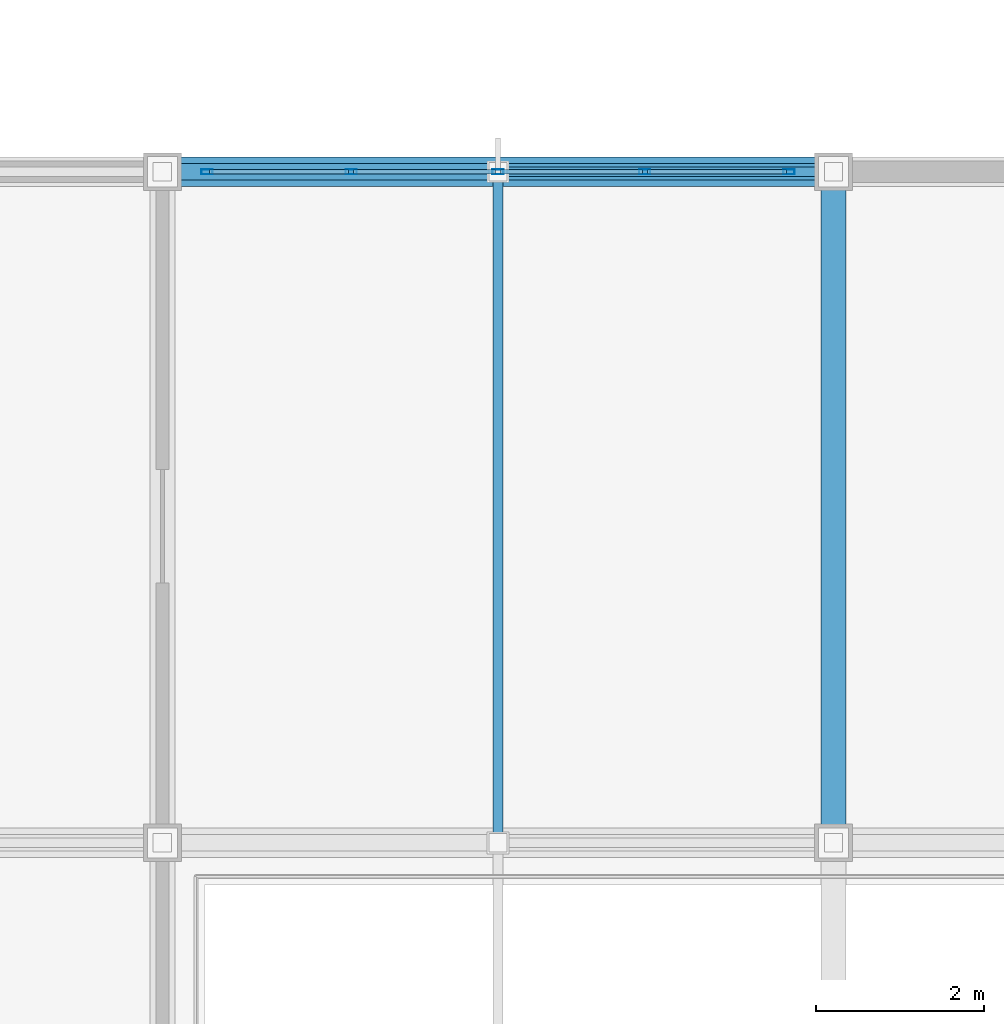
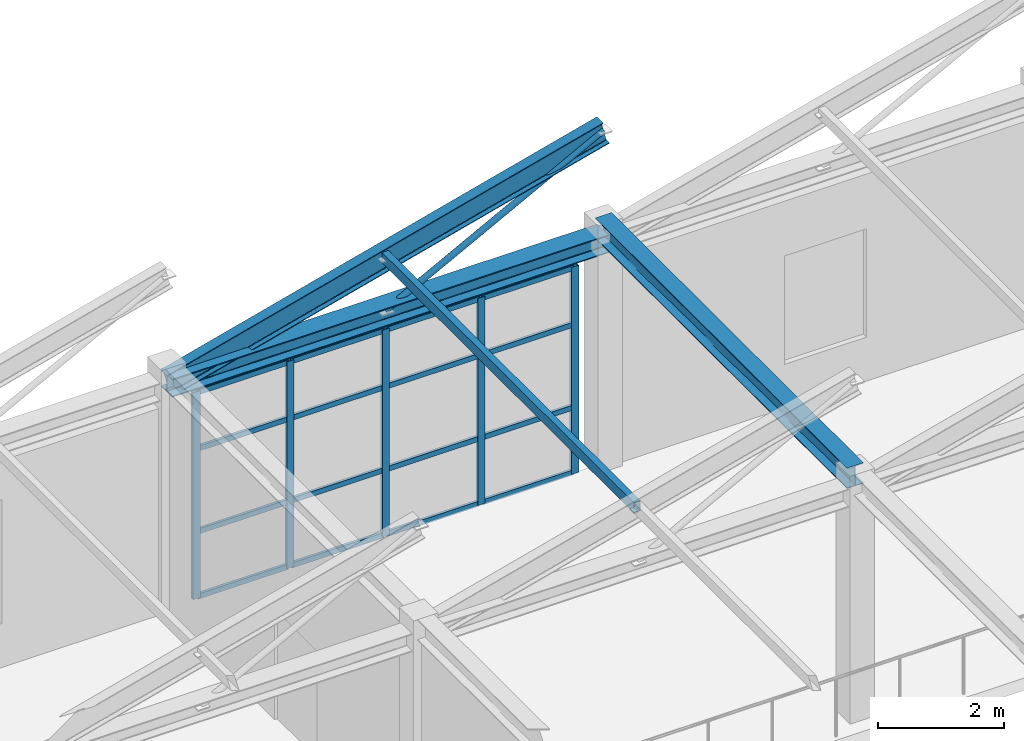
# One storey, part 3 of 63: 24 members, 2 beams, 1 element without a shape of its own.
"""IFC4 building model written with IfcOpenShell, lengths in metres."""

import ifcopenshell
import ifcopenshell.guid

model = None  # the IFC model being written
_history = None  # IfcOwnerHistory: only IFC2X3 demands one
_inside = {}  # id of a spatial element -> (the spatial element, [elements in it])
_under = {}  # id of a project, library or spatial element -> (it, [spatial elements below it])
_declared = {}  # id of a project -> (the project, [libraries it declares])
_typed = {}  # id of a type object -> (the type object, [elements of that type])
_made_of = {}  # id of a material, layer set ... -> (it, [elements and type objects made of it])


def new_model(schema):
    """Start an empty IFC model of exactly this schema.

    Asked for "IFC4X3", IfcOpenShell would pick the latest addendum, in which some entities
    have other attributes; the version numbers below select the first issue.
    IFC2X3 requires an IfcOwnerHistory on every rooted entity: one is made here for all.
    """
    global model, _history
    if schema == "IFC4X3":
        model = ifcopenshell.file(schema_version=(4, 3, 0, 0))
    else:
        model = ifcopenshell.file(schema=schema)
    _inside.clear()
    _under.clear()
    _declared.clear()
    _typed.clear()
    _made_of.clear()
    _history = None
    if model.schema == "IFC2X3":
        org = make("IfcOrganization", Name="unknown")
        user = make(
            "IfcPersonAndOrganization",
            ThePerson=make("IfcPerson", FamilyName="unknown"),
            TheOrganization=org,
        )
        app = make(
            "IfcApplication",
            ApplicationDeveloper=org,
            Version="unknown",
            ApplicationFullName="unknown",
            ApplicationIdentifier="unknown",
        )
        _history = make(
            "IfcOwnerHistory",
            OwningUser=user,
            OwningApplication=app,
            ChangeAction="ADDED",
            CreationDate=0,
        )
    return model


def make(cls, **values):
    """One entity of the class cls with the attributes given. An attribute that is None is left unset."""
    return model.create_entity(
        cls, **{name: value for name, value in values.items() if value is not None}
    )


def rooted(cls, **values):
    """An entity with a GlobalId (a new one), such as an element, a storey or a relation."""
    return make(cls, GlobalId=ifcopenshell.guid.new(), OwnerHistory=_history, **values)


def si_unit(unit_type, name, prefix=None):
    """IfcSIUnit, for example si_unit("LENGTHUNIT", "METRE", prefix="MILLI")."""
    return make("IfcSIUnit", UnitType=unit_type, Prefix=prefix, Name=name)


def assignment(units):
    """IfcUnitAssignment: the units of a project."""
    return None if units is None else make("IfcUnitAssignment", Units=units)


def point(xyz):
    """IfcCartesianPoint."""
    return None if xyz is None else make("IfcCartesianPoint", Coordinates=xyz)


def direction(xyz):
    """IfcDirection."""
    return None if xyz is None else make("IfcDirection", DirectionRatios=xyz)


def frame(location, z_axis=None, x_axis=None):
    """IfcAxis2Placement3D, a coordinate frame: its origin and axes. An axis left out is left unset."""
    return make(
        "IfcAxis2Placement3D",
        Location=point(location),
        Axis=direction(z_axis),
        RefDirection=direction(x_axis),
    )


def frame_2d(location, x_axis=None):
    """IfcAxis2Placement2D, a coordinate frame in the plane: its origin and x axis."""
    return make(
        "IfcAxis2Placement2D", Location=point(location), RefDirection=direction(x_axis)
    )


def origin():
    """The frame at (0, 0, 0) with its axes left unset."""
    return frame((0.0, 0.0, 0.0))


def origin_2d():
    """The frame at (0, 0) in the plane with its x axis left unset."""
    return frame_2d((0.0, 0.0))


def place(relative_to, where):
    """IfcLocalPlacement: puts the frame where relative to a parent placement (None: the world)."""
    return make(
        "IfcLocalPlacement", PlacementRelTo=relative_to, RelativePlacement=where
    )


def context(
    kind, dimensions, precision=None, world=None, true_north=None, identifier=None
):
    """IfcGeometricRepresentationContext, for example the 3D "Model" context."""
    return make(
        "IfcGeometricRepresentationContext",
        ContextIdentifier=identifier,
        ContextType=kind,
        CoordinateSpaceDimension=dimensions,
        Precision=precision,
        WorldCoordinateSystem=world,
        TrueNorth=true_north,
    )


def subcontext(parent, identifier, kind, view, scale=None):
    """IfcGeometricRepresentationSubContext, for example "Body" below "Model"."""
    return make(
        "IfcGeometricRepresentationSubContext",
        ContextIdentifier=identifier,
        ContextType=kind,
        ParentContext=parent,
        TargetScale=scale,
        TargetView=view,
    )


def project(units=None, contexts=None):
    """IfcProject with its units and contexts."""
    return rooted(
        "IfcProject",
        Name="project",
        RepresentationContexts=contexts,
        UnitsInContext=assignment(units),
    )


def spatial(cls, under=None, at=None, **own):
    """A site, building, storey or space (cls), placed at a placement, below another one or the project."""
    s = rooted(cls, ObjectPlacement=at, **own)
    if under is not None:
        _under.setdefault(under.id(), (under, []))[1].append(s)
    return s


def profile(cls, at=None, kind="AREA", **sizes):
    """A parametric profile (cls). Its sizes go by their IFC names, for example OverallWidth=200.0."""
    return make(cls, ProfileType=kind, Position=at, **sizes)


def hollow_rectangle(**sizes):
    """IfcRectangleHollowProfileDef."""
    return profile("IfcRectangleHollowProfileDef", **sizes)


def hollow_circle(**sizes):
    """IfcCircleHollowProfileDef."""
    return profile("IfcCircleHollowProfileDef", **sizes)


def i_section(**sizes):
    """IfcIShapeProfileDef."""
    return profile("IfcIShapeProfileDef", **sizes)


def extrude(swept, where, along, depth):
    """IfcExtrudedAreaSolid: the profile swept, set in the frame where, extruded along a direction by depth."""
    return make(
        "IfcExtrudedAreaSolid",
        SweptArea=swept,
        Position=where,
        ExtrudedDirection=direction(along),
        Depth=depth,
    )


def shape(context_of_items, identifier, shape_type, items):
    """IfcShapeRepresentation: the items that make up one representation, for example the "Body"."""
    return make(
        "IfcShapeRepresentation",
        ContextOfItems=context_of_items,
        RepresentationIdentifier=identifier,
        RepresentationType=shape_type,
        Items=items,
    )


def material(Name=None, Category=None):
    """IfcMaterial."""
    return make("IfcMaterial", Name=Name, Category=Category)


def layer(
    of_material, thickness, ventilated=None, Name=None, Category=None, Priority=None
):
    """IfcMaterialLayer: one layer of a wall or slab, of a material (None: an air gap)."""
    return make(
        "IfcMaterialLayer",
        Material=of_material,
        LayerThickness=thickness,
        IsVentilated=ventilated,
        Name=Name,
        Category=Category,
        Priority=Priority,
    )


def layer_set(layers, Name=None):
    """IfcMaterialLayerSet."""
    return make("IfcMaterialLayerSet", MaterialLayers=layers, LayerSetName=Name)


def material_profile(
    of_material, cross_section, Name=None, Category=None, Priority=None
):
    """IfcMaterialProfile: a cross section and its material."""
    return make(
        "IfcMaterialProfile",
        Name=Name,
        Material=of_material,
        Profile=cross_section,
        Priority=Priority,
        Category=Category,
    )


def profile_set(profiles, Name=None, composite=None):
    """IfcMaterialProfileSet."""
    return make(
        "IfcMaterialProfileSet",
        Name=Name,
        MaterialProfiles=profiles,
        CompositeProfile=composite,
    )


def made_of(thing, what):
    """Note that an element or type object is made of a material, layer set ...; save() writes the relation."""
    if what is not None:
        _made_of.setdefault(what.id(), (what, []))[1].append(thing)
    return thing


def type_object(cls, material=None, **own):
    """A type object (cls), such as IfcWallType, which elements share."""
    return made_of(rooted(cls, **own), material)


def element(
    cls,
    number,
    at=None,
    inside=None,
    cuts=None,
    type_object=None,
    material=None,
    context=None,
    identifier="Body",
    shape_type=None,
    held_by="IfcProductDefinitionShape",
    body=None,
    shapes=None,
    **own,
):
    """One element of the class cls, such as IfcWall. Its Tag is "e" and its number.

    at: its placement. inside: the storey or other place that contains it. cuts: it is an
    opening in that element (IfcRelVoidsElement). A single representation is given by context,
    identifier, shape_type and body (its items); several are given by shapes. held_by: the class
    of the entity that holds the representations. save() writes the other relations.
    """
    e = rooted(cls, Tag="e%d" % number, ObjectPlacement=at, **own)
    if body is not None:
        shapes = [shape(context, identifier, shape_type, body)]
    if shapes is not None:
        e.Representation = make(held_by, Representations=shapes)
    if inside is not None:
        _inside.setdefault(inside.id(), (inside, []))[1].append(e)
    if cuts is not None:
        rooted(
            "IfcRelVoidsElement", RelatingBuildingElement=cuts, RelatedOpeningElement=e
        )
    if type_object is not None:
        _typed.setdefault(type_object.id(), (type_object, []))[1].append(e)
    return made_of(e, material)


def aggregate(whole, parts):
    """IfcRelAggregates: a whole, such as a stair, and the parts it consists of."""
    return rooted("IfcRelAggregates", RelatingObject=whole, RelatedObjects=parts)


def save(model, path):
    """Write the relations noted so far, then the file.

    IfcRelAggregates (storeys below a building ...), IfcRelContainedInSpatialStructure (elements
    in a storey), IfcRelDefinesByType, IfcRelAssociatesMaterial and IfcRelDeclares: one each for
    every whole, place, type object, material and project.
    """
    for whole, parts in _under.values():
        aggregate(whole, parts)
    for where, things in _inside.values():
        rooted(
            "IfcRelContainedInSpatialStructure",
            RelatedElements=things,
            RelatingStructure=where,
        )
    for kind, things in _typed.values():
        rooted("IfcRelDefinesByType", RelatedObjects=things, RelatingType=kind)
    for what, things in _made_of.values():
        rooted("IfcRelAssociatesMaterial", RelatedObjects=things, RelatingMaterial=what)
    for by, libraries in _declared.values():
        rooted("IfcRelDeclares", RelatingContext=by, RelatedDefinitions=libraries)
    model.write(path)


model = new_model("IFC4")

# Units and contexts
model_context = context("Model", 3, precision=1e-05, world=origin(), true_north=direction((0.0, 1.0)))
body_context = subcontext(model_context, "Body", "Model", "MODEL_VIEW")
ifc_project = project(units=[si_unit("LENGTHUNIT", "METRE"), si_unit("AREAUNIT", "SQUARE_METRE"), si_unit("VOLUMEUNIT", "CUBIC_METRE"), si_unit("PLANEANGLEUNIT", "RADIAN"), si_unit("MASSUNIT", "GRAM", prefix="KILO")], contexts=[model_context])

# Site, building, storey
site_placement = place(None, origin())
site = spatial("IfcSite", under=ifc_project, at=site_placement, CompositionType="ELEMENT")
building_placement = place(site_placement, origin())
building = spatial("IfcBuilding", under=site, at=building_placement, Name="Canggui Botanical Conservatory", CompositionType="ELEMENT")
storey_placement = place(building_placement, frame((0.0, 0.0, 10.199951171875)))
storey = spatial("IfcBuildingStorey", under=building, at=storey_placement, Name="L03", CompositionType="ELEMENT", Elevation=10.199951171875)

# Beams
ifc_material_1 = material(Name="Steel Q355B", Category="steel")
ifc_material_profile_1 = material_profile(ifc_material_1, i_section(OverallWidth=0.300048828125, OverallDepth=0.39990234375, WebThickness=0.010009765625, FlangeThickness=0.01611328125, FilletRadius=0.02197265625, at=origin_2d()), Name="HM 400x300x10x16")
ifc_profile_set_1 = profile_set([ifc_material_profile_1], Name="Steel Q355B")
beam_type_1 = type_object("IfcBeamType", Name="BM-GL03", PredefinedType="BEAM", material=ifc_profile_set_1)
beam_1_placement = place(storey_placement, frame((42.0, 26.0, 4.60009765625), z_axis=(0.0, 1.0, 0.0), x_axis=(-1.0, 0.0, 0.0)))
element("IfcBeam", 1, at=beam_1_placement, inside=storey, type_object=beam_type_1, Name="Visitor Clerestory Support Girder 2-3", PredefinedType="BEAM", context=body_context, shape_type="SweptSolid", body=[
    extrude(i_section(OverallWidth=0.300048828125, OverallDepth=0.39990234375, WebThickness=0.010009765625, FlangeThickness=0.01611328125, FilletRadius=0.02197265625, at=origin_2d()), origin(), (0.0, 0.0, 1.0), 8.0),
])
ifc_material_profile_2 = material_profile(ifc_material_1, i_section(OverallWidth=0.199951171875, OverallDepth=0.449951171875, WebThickness=0.009033203125, FlangeThickness=0.013916015625, FilletRadius=0.01806640625, at=origin_2d()), Name="HN 450x200x9x14")
ifc_profile_set_2 = profile_set([ifc_material_profile_2], Name="Steel Q355B")
beam_type_2 = type_object("IfcBeamType", Name="BM-GL07", PredefinedType="BEAM", material=ifc_profile_set_2)
beam_2_placement = place(storey_placement, frame((34.0, 34.0, 4.35009765625), z_axis=(0.967235314575, 0.0, 0.253881559468), x_axis=(0.0, 1.0, 0.0)))
element("IfcBeam", 2, at=beam_2_placement, inside=storey, type_object=beam_type_2, Name="Visitor Sawtooth Steel Rafter 2-Y34", PredefinedType="BEAM", context=body_context, shape_type="SweptSolid", body=[
    extrude(i_section(OverallWidth=0.199951171875, OverallDepth=0.449951171875, WebThickness=0.009033203125, FlangeThickness=0.013916015625, FilletRadius=0.01806640625, at=origin_2d()), origin(), (0.0, 0.0, 1.0), 8.27099609375),
])

# Curtain wall, members
ifc_material_2 = material(Name="Thermally Broken Aluminium", Category="aluminium")
ifc_layer = layer(ifc_material_2, 0.135009765625, Name="Thermally Broken Aluminium", Category="aluminium")
ifc_layer_set = layer_set([ifc_layer], Name="Thermally Broken Aluminium")
curtain_wall_type = type_object("IfcCurtainWallType", Name="CW-STICK-A", PredefinedType="USERDEFINED", material=ifc_layer_set)
curtain_wall_placement = place(storey_placement, origin())
curtain_wall = element("IfcCurtainWall", 3, at=curtain_wall_placement, inside=storey, type_object=curtain_wall_type, Name="Facade Curtain Wall CW-VIS-L03-10", ObjectType="STICK GLAZED WALL", PredefinedType="USERDEFINED")
ifc_material_profile_3 = material_profile(ifc_material_2, hollow_rectangle(XDim=0.06005859375, YDim=0.135009765625, WallThickness=0.00341796875, at=origin_2d()), Name="CWM 60x135x3.5")
ifc_profile_set_3 = profile_set([ifc_material_profile_3], Name="Thermally Broken Aluminium")
member_type_1 = type_object("IfcMemberType", Name="CWM-04", PredefinedType="MULLION", material=ifc_profile_set_3)
member_1_placement = place(storey_placement, frame((34.530029296875, 34.0, 0.0), z_axis=(0.0, 0.0, 1.0), x_axis=(0.0, 1.0, 0.0)))
member_1 = element("IfcMember", 4, at=member_1_placement, type_object=member_type_1, Name="CW-04 mullion 1", PredefinedType="MULLION", context=body_context, shape_type="SweptSolid", body=[
    extrude(hollow_rectangle(XDim=0.06005859375, YDim=0.135009765625, WallThickness=0.00341796875, at=origin_2d()), origin(), (0.0, 0.0, 1.0), 4.010009765625),
])
member_2_placement = place(storey_placement, frame((36.25, 34.0, 0.0), z_axis=(0.0, 0.0, 1.0), x_axis=(0.0, 1.0, 0.0)))
member_2 = element("IfcMember", 5, at=member_2_placement, type_object=member_type_1, Name="CW-04 mullion 2", PredefinedType="MULLION", context=body_context, shape_type="SweptSolid", body=[
    extrude(hollow_rectangle(XDim=0.06005859375, YDim=0.135009765625, WallThickness=0.00341796875, at=origin_2d()), origin(), (0.0, 0.0, 1.0), 4.010009765625),
])
member_3_placement = place(storey_placement, frame((38.0, 34.0, 0.0), z_axis=(0.0, 0.0, 1.0), x_axis=(0.0, 1.0, 0.0)))
member_3 = element("IfcMember", 6, at=member_3_placement, type_object=member_type_1, Name="CW-04 mullion 3", PredefinedType="MULLION", context=body_context, shape_type="SweptSolid", body=[
    extrude(hollow_rectangle(XDim=0.06005859375, YDim=0.135009765625, WallThickness=0.00341796875, at=origin_2d()), origin(), (0.0, 0.0, 1.0), 4.010009765625),
])
member_4_placement = place(storey_placement, frame((39.75, 34.0, 0.0), z_axis=(0.0, 0.0, 1.0), x_axis=(0.0, 1.0, 0.0)))
member_4 = element("IfcMember", 7, at=member_4_placement, type_object=member_type_1, Name="CW-04 mullion 4", PredefinedType="MULLION", context=body_context, shape_type="SweptSolid", body=[
    extrude(hollow_rectangle(XDim=0.06005859375, YDim=0.135009765625, WallThickness=0.00341796875, at=origin_2d()), origin(), (0.0, 0.0, 1.0), 4.010009765625),
])
member_5_placement = place(storey_placement, frame((41.469970703125, 34.0, 0.0), z_axis=(0.0, 0.0, 1.0), x_axis=(0.0, 1.0, 0.0)))
member_5 = element("IfcMember", 8, at=member_5_placement, type_object=member_type_1, Name="CW-04 mullion 5", PredefinedType="MULLION", context=body_context, shape_type="SweptSolid", body=[
    extrude(hollow_rectangle(XDim=0.06005859375, YDim=0.135009765625, WallThickness=0.00341796875, at=origin_2d()), origin(), (0.0, 0.0, 1.0), 4.010009765625),
])
ifc_material_profile_4 = material_profile(ifc_material_2, hollow_rectangle(XDim=0.050048828125, YDim=0.10009765625, WallThickness=0.0029296875, at=origin_2d()), Name="CWT 50x100x3")
ifc_profile_set_4 = profile_set([ifc_material_profile_4], Name="Thermally Broken Aluminium")
member_type_2 = type_object("IfcMemberType", Name="CWT-04", PredefinedType="USERDEFINED", material=ifc_profile_set_4)
member_6_placement = place(storey_placement, frame((34.56005859375, 34.0, 0.025146484375), z_axis=(1.0, 0.0, 0.0), x_axis=(0.0, 1.0, 0.0)))
member_6 = element("IfcMember", 9, at=member_6_placement, type_object=member_type_2, Name="CW-04 transom 1.1", ObjectType="TRANSOM", PredefinedType="USERDEFINED", context=body_context, shape_type="SweptSolid", body=[
    extrude(hollow_rectangle(XDim=0.050048828125, YDim=0.10009765625, WallThickness=0.0029296875, at=origin_2d()), origin(), (0.0, 0.0, 1.0), 1.659912109375),
])
member_7_placement = place(storey_placement, frame((34.56005859375, 34.0, 1.283203125), z_axis=(1.0, 0.0, 0.0), x_axis=(0.0, 1.0, 0.0)))
member_7 = element("IfcMember", 10, at=member_7_placement, type_object=member_type_2, Name="CW-04 transom 1.2", ObjectType="TRANSOM", PredefinedType="USERDEFINED", context=body_context, shape_type="SweptSolid", body=[
    extrude(hollow_rectangle(XDim=0.050048828125, YDim=0.10009765625, WallThickness=0.0029296875, at=origin_2d()), origin(), (0.0, 0.0, 1.0), 1.659912109375),
])
member_8_placement = place(storey_placement, frame((34.56005859375, 34.0, 2.88720703125), z_axis=(1.0, 0.0, 0.0), x_axis=(0.0, 1.0, 0.0)))
member_8 = element("IfcMember", 11, at=member_8_placement, type_object=member_type_2, Name="CW-04 transom 1.3", ObjectType="TRANSOM", PredefinedType="USERDEFINED", context=body_context, shape_type="SweptSolid", body=[
    extrude(hollow_rectangle(XDim=0.050048828125, YDim=0.10009765625, WallThickness=0.0029296875, at=origin_2d()), origin(), (0.0, 0.0, 1.0), 1.659912109375),
])
member_9_placement = place(storey_placement, frame((34.56005859375, 34.0, 3.985107421875), z_axis=(1.0, 0.0, 0.0), x_axis=(0.0, 1.0, 0.0)))
member_9 = element("IfcMember", 12, at=member_9_placement, type_object=member_type_2, Name="CW-04 transom 1.4", ObjectType="TRANSOM", PredefinedType="USERDEFINED", context=body_context, shape_type="SweptSolid", body=[
    extrude(hollow_rectangle(XDim=0.050048828125, YDim=0.10009765625, WallThickness=0.0029296875, at=origin_2d()), origin(), (0.0, 0.0, 1.0), 1.659912109375),
])
member_10_placement = place(storey_placement, frame((36.280029296875, 34.0, 0.025146484375), z_axis=(1.0, 0.0, 0.0), x_axis=(0.0, 1.0, 0.0)))
member_10 = element("IfcMember", 13, at=member_10_placement, type_object=member_type_2, Name="CW-04 transom 2.1", ObjectType="TRANSOM", PredefinedType="USERDEFINED", context=body_context, shape_type="SweptSolid", body=[
    extrude(hollow_rectangle(XDim=0.050048828125, YDim=0.10009765625, WallThickness=0.0029296875, at=origin_2d()), origin(), (0.0, 0.0, 1.0), 1.68994140625),
])
member_11_placement = place(storey_placement, frame((36.280029296875, 34.0, 1.283203125), z_axis=(1.0, 0.0, 0.0), x_axis=(0.0, 1.0, 0.0)))
member_11 = element("IfcMember", 14, at=member_11_placement, type_object=member_type_2, Name="CW-04 transom 2.2", ObjectType="TRANSOM", PredefinedType="USERDEFINED", context=body_context, shape_type="SweptSolid", body=[
    extrude(hollow_rectangle(XDim=0.050048828125, YDim=0.10009765625, WallThickness=0.0029296875, at=origin_2d()), origin(), (0.0, 0.0, 1.0), 1.68994140625),
])
member_12_placement = place(storey_placement, frame((36.280029296875, 34.0, 2.88720703125), z_axis=(1.0, 0.0, 0.0), x_axis=(0.0, 1.0, 0.0)))
member_12 = element("IfcMember", 15, at=member_12_placement, type_object=member_type_2, Name="CW-04 transom 2.3", ObjectType="TRANSOM", PredefinedType="USERDEFINED", context=body_context, shape_type="SweptSolid", body=[
    extrude(hollow_rectangle(XDim=0.050048828125, YDim=0.10009765625, WallThickness=0.0029296875, at=origin_2d()), origin(), (0.0, 0.0, 1.0), 1.68994140625),
])
member_13_placement = place(storey_placement, frame((36.280029296875, 34.0, 3.985107421875), z_axis=(1.0, 0.0, 0.0), x_axis=(0.0, 1.0, 0.0)))
member_13 = element("IfcMember", 16, at=member_13_placement, type_object=member_type_2, Name="CW-04 transom 2.4", ObjectType="TRANSOM", PredefinedType="USERDEFINED", context=body_context, shape_type="SweptSolid", body=[
    extrude(hollow_rectangle(XDim=0.050048828125, YDim=0.10009765625, WallThickness=0.0029296875, at=origin_2d()), origin(), (0.0, 0.0, 1.0), 1.68994140625),
])
member_14_placement = place(storey_placement, frame((38.030029296875, 34.0, 0.025146484375), z_axis=(1.0, 0.0, 0.0), x_axis=(0.0, 1.0, 0.0)))
member_14 = element("IfcMember", 17, at=member_14_placement, type_object=member_type_2, Name="CW-04 transom 3.1", ObjectType="TRANSOM", PredefinedType="USERDEFINED", context=body_context, shape_type="SweptSolid", body=[
    extrude(hollow_rectangle(XDim=0.050048828125, YDim=0.10009765625, WallThickness=0.0029296875, at=origin_2d()), origin(), (0.0, 0.0, 1.0), 1.68994140625),
])
member_15_placement = place(storey_placement, frame((38.030029296875, 34.0, 1.283203125), z_axis=(1.0, 0.0, 0.0), x_axis=(0.0, 1.0, 0.0)))
member_15 = element("IfcMember", 18, at=member_15_placement, type_object=member_type_2, Name="CW-04 transom 3.2", ObjectType="TRANSOM", PredefinedType="USERDEFINED", context=body_context, shape_type="SweptSolid", body=[
    extrude(hollow_rectangle(XDim=0.050048828125, YDim=0.10009765625, WallThickness=0.0029296875, at=origin_2d()), origin(), (0.0, 0.0, 1.0), 1.68994140625),
])
member_16_placement = place(storey_placement, frame((38.030029296875, 34.0, 2.88720703125), z_axis=(1.0, 0.0, 0.0), x_axis=(0.0, 1.0, 0.0)))
member_16 = element("IfcMember", 19, at=member_16_placement, type_object=member_type_2, Name="CW-04 transom 3.3", ObjectType="TRANSOM", PredefinedType="USERDEFINED", context=body_context, shape_type="SweptSolid", body=[
    extrude(hollow_rectangle(XDim=0.050048828125, YDim=0.10009765625, WallThickness=0.0029296875, at=origin_2d()), origin(), (0.0, 0.0, 1.0), 1.68994140625),
])
member_17_placement = place(storey_placement, frame((38.030029296875, 34.0, 3.985107421875), z_axis=(1.0, 0.0, 0.0), x_axis=(0.0, 1.0, 0.0)))
member_17 = element("IfcMember", 20, at=member_17_placement, type_object=member_type_2, Name="CW-04 transom 3.4", ObjectType="TRANSOM", PredefinedType="USERDEFINED", context=body_context, shape_type="SweptSolid", body=[
    extrude(hollow_rectangle(XDim=0.050048828125, YDim=0.10009765625, WallThickness=0.0029296875, at=origin_2d()), origin(), (0.0, 0.0, 1.0), 1.68994140625),
])
member_18_placement = place(storey_placement, frame((39.780029296875, 34.0, 0.025146484375), z_axis=(1.0, 0.0, 0.0), x_axis=(0.0, 1.0, 0.0)))
member_18 = element("IfcMember", 21, at=member_18_placement, type_object=member_type_2, Name="CW-04 transom 4.1", ObjectType="TRANSOM", PredefinedType="USERDEFINED", context=body_context, shape_type="SweptSolid", body=[
    extrude(hollow_rectangle(XDim=0.050048828125, YDim=0.10009765625, WallThickness=0.0029296875, at=origin_2d()), origin(), (0.0, 0.0, 1.0), 1.659912109375),
])
member_19_placement = place(storey_placement, frame((39.780029296875, 34.0, 1.283203125), z_axis=(1.0, 0.0, 0.0), x_axis=(0.0, 1.0, 0.0)))
member_19 = element("IfcMember", 22, at=member_19_placement, type_object=member_type_2, Name="CW-04 transom 4.2", ObjectType="TRANSOM", PredefinedType="USERDEFINED", context=body_context, shape_type="SweptSolid", body=[
    extrude(hollow_rectangle(XDim=0.050048828125, YDim=0.10009765625, WallThickness=0.0029296875, at=origin_2d()), origin(), (0.0, 0.0, 1.0), 1.659912109375),
])
member_20_placement = place(storey_placement, frame((39.780029296875, 34.0, 2.88720703125), z_axis=(1.0, 0.0, 0.0), x_axis=(0.0, 1.0, 0.0)))
member_20 = element("IfcMember", 23, at=member_20_placement, type_object=member_type_2, Name="CW-04 transom 4.3", ObjectType="TRANSOM", PredefinedType="USERDEFINED", context=body_context, shape_type="SweptSolid", body=[
    extrude(hollow_rectangle(XDim=0.050048828125, YDim=0.10009765625, WallThickness=0.0029296875, at=origin_2d()), origin(), (0.0, 0.0, 1.0), 1.659912109375),
])
member_21_placement = place(storey_placement, frame((39.780029296875, 34.0, 3.985107421875), z_axis=(1.0, 0.0, 0.0), x_axis=(0.0, 1.0, 0.0)))
member_21 = element("IfcMember", 24, at=member_21_placement, type_object=member_type_2, Name="CW-04 transom 4.4", ObjectType="TRANSOM", PredefinedType="USERDEFINED", context=body_context, shape_type="SweptSolid", body=[
    extrude(hollow_rectangle(XDim=0.050048828125, YDim=0.10009765625, WallThickness=0.0029296875, at=origin_2d()), origin(), (0.0, 0.0, 1.0), 1.659912109375),
])
aggregate(curtain_wall, [member_1, member_2, member_3, member_4, member_5, member_6, member_7, member_8, member_9, member_10, member_11, member_12, member_13, member_14, member_15, member_16, member_17, member_18, member_19, member_20, member_21])

# Members
ifc_material_profile_5 = material_profile(ifc_material_1, hollow_rectangle(XDim=0.1201171875, YDim=0.199951171875, WallThickness=0.008056640625, at=origin_2d()), Name="RHS 120x200x8")
ifc_profile_set_5 = profile_set([ifc_material_profile_5], Name="Steel Q355B")
member_type_3 = type_object("IfcMemberType", Name="MEM-PUR02", PredefinedType="PURLIN", material=ifc_profile_set_5)
member_22_placement = place(storey_placement, frame((38.0, 26.0, 5.400146484375), z_axis=(0.0, 1.0, 0.0), x_axis=(-1.0, 0.0, 0.0)))
element("IfcMember", 25, at=member_22_placement, inside=storey, type_object=member_type_3, Name="Visitor Sawtooth Roof Purlin 2-3", PredefinedType="PURLIN", context=body_context, shape_type="SweptSolid", body=[
    extrude(hollow_rectangle(XDim=0.1201171875, YDim=0.199951171875, WallThickness=0.008056640625, at=origin_2d()), origin(), (0.0, 0.0, 1.0), 8.0),
])
ifc_material_profile_6 = material_profile(ifc_material_1, i_section(OverallWidth=0.35009765625, OverallDepth=0.35009765625, WebThickness=0.011962890625, FlangeThickness=0.01904296875, FilletRadius=0.02001953125, at=origin_2d()), Name="HW 350x350x12x19")
ifc_profile_set_6 = profile_set([ifc_material_profile_6], Name="Steel Q355B")
member_type_4 = type_object("IfcMemberType", Name="MEM-TC09", PredefinedType="CHORD", material=ifc_profile_set_6)
member_23_placement = place(storey_placement, frame((34.0, 34.0, 4.35009765625), z_axis=(1.0, 0.0, 0.0), x_axis=(0.0, 1.0, 0.0)))
element("IfcMember", 26, at=member_23_placement, inside=storey, type_object=member_type_4, Name="Visitor Sawtooth Truss Tie Chord 2-Y34", PredefinedType="CHORD", context=body_context, shape_type="SweptSolid", body=[
    extrude(i_section(OverallWidth=0.35009765625, OverallDepth=0.35009765625, WebThickness=0.011962890625, FlangeThickness=0.01904296875, FilletRadius=0.02001953125, at=origin_2d()), origin(), (0.0, 0.0, 1.0), 8.0),
])
ifc_material_profile_7 = material_profile(ifc_material_1, hollow_circle(Radius=0.056884765625, WallThickness=0.006103515625, at=origin_2d()), Name="CHS 114x6")
ifc_profile_set_7 = profile_set([ifc_material_profile_7], Name="Steel Q355B")
member_type_5 = type_object("IfcMemberType", Name="MEM-TW03", PredefinedType="BRACE", material=ifc_profile_set_7)
member_24_placement = place(storey_placement, frame((38.0, 34.0, 4.35009765625), z_axis=(0.88541124729, 0.0, 0.464808480099), x_axis=(0.0, 1.0, 0.0)))
element("IfcMember", 27, at=member_24_placement, inside=storey, type_object=member_type_5, Name="Visitor Sawtooth Truss Diagonal 2-Y34", PredefinedType="BRACE", context=body_context, shape_type="SweptSolid", body=[
    extrude(hollow_circle(Radius=0.056884765625, WallThickness=0.006103515625, at=origin_2d()), origin(), (0.0, 0.0, 1.0), 4.517578125),
])

save(model, "model.ifc")
